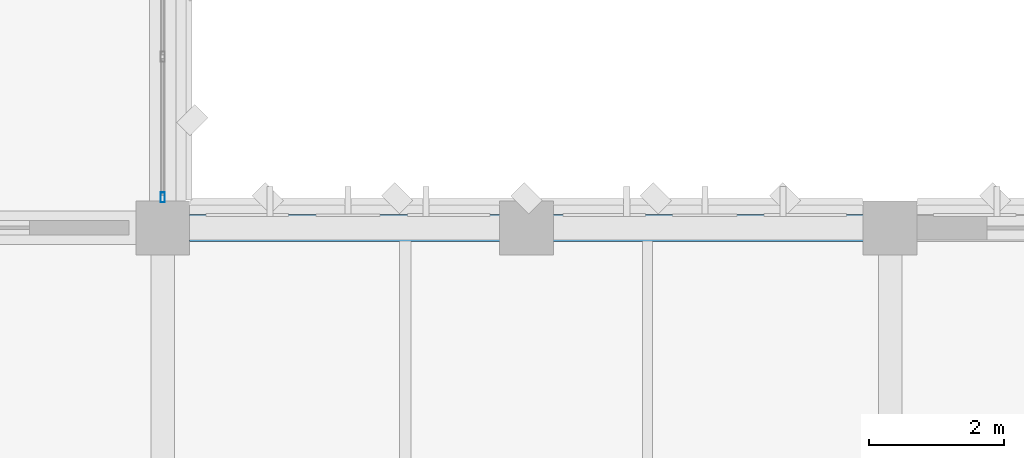
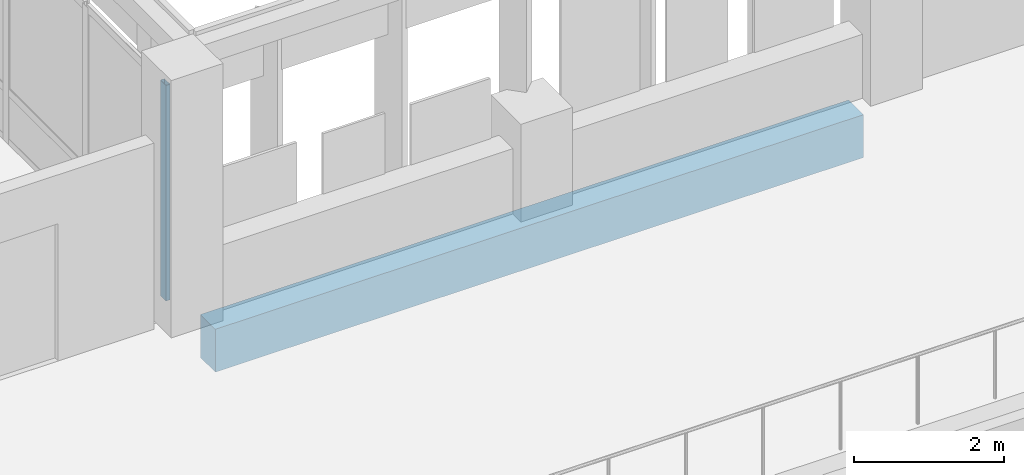
# One storey, part 9 of 158: 1 beam, 1 member, 1 element without a shape of its own.
"""IFC4 building model written with IfcOpenShell, lengths in metres."""

from ifc_helpers import new_model, si_unit, direction, frame, origin, origin_2d, place, context, subcontext, project, spatial, rectangle, hollow_rectangle, extrude, material, material_profile, profile_set, type_object, element, aggregate, save


model = new_model("IFC4")

# Units and contexts
model_context = context("Model", 3, precision=1e-05, world=origin(), true_north=direction((0.0, 1.0)))
body_context = subcontext(model_context, "Body", "Model", "MODEL_VIEW")
ifc_project = project(units=[si_unit("LENGTHUNIT", "METRE"), si_unit("AREAUNIT", "SQUARE_METRE"), si_unit("VOLUMEUNIT", "CUBIC_METRE"), si_unit("PLANEANGLEUNIT", "RADIAN"), si_unit("MASSUNIT", "GRAM", prefix="KILO")], contexts=[model_context])

# Site, building, storey
site_placement = place(None, origin())
site = spatial("IfcSite", under=ifc_project, at=site_placement, CompositionType="ELEMENT")
building_placement = place(site_placement, origin())
building = spatial("IfcBuilding", under=site, at=building_placement, Name="Lusvemor Sports Hall", CompositionType="ELEMENT")
storey_placement = place(building_placement, frame((0.0, 0.0, 10.800048828125)))
storey = spatial("IfcBuildingStorey", under=building, at=storey_placement, Name="L02", CompositionType="ELEMENT", Elevation=10.800048828125)

# Curtain wall, member
ifc_material_1 = material(Name="Thermally broken bronze-anodized aluminium", Category="aluminium")
curtain_wall_type = type_object("IfcCurtainWallType", Name="CW_WING_B", PredefinedType="NOTDEFINED", material=ifc_material_1)
curtain_wall_placement = place(storey_placement, origin())
curtain_wall = element("IfcCurtainWall", 1, at=curtain_wall_placement, inside=storey, type_object=curtain_wall_type, Name="Curtain Wall CW-L02-E-5-0", PredefinedType="NOTDEFINED")
ifc_material_2 = material(Name="Thermally broken bronze-anodized aluminium", Category="aluminium")
ifc_material_profile_1 = material_profile(ifc_material_2, hollow_rectangle(XDim=0.06494140625, YDim=0.14990234375, WallThickness=0.00390625, InnerFilletRadius=0.00390625, OuterFilletRadius=0.008056640625, at=origin_2d()), Name="CWMUL150x65x4")
ifc_profile_set_1 = profile_set([ifc_material_profile_1], Name="Thermally broken bronze-anodized aluminium")
member_type = type_object("IfcMemberType", Name="CW_MUL_B", PredefinedType="MULLION", material=ifc_profile_set_1)
member_placement = place(storey_placement, frame((21.60009765625, 47.25244140625, 0.0), z_axis=(0.0, 0.0, 1.0), x_axis=(1.0, 0.0, 0.0)))
member = element("IfcMember", 2, at=member_placement, type_object=member_type, Name="CW02 mullion 4", PredefinedType="MULLION", context=body_context, shape_type="SweptSolid", body=[
    extrude(hollow_rectangle(XDim=0.06494140625, YDim=0.14990234375, WallThickness=0.00390625, InnerFilletRadius=0.00390625, OuterFilletRadius=0.008056640625, at=origin_2d()), origin(), (0.0, 0.0, 1.0), 3.52001953125),
])
aggregate(curtain_wall, [member])

# Beam
ifc_material_3 = material(Name="Concrete C40/50", Category="concrete")
ifc_material_profile_2 = material_profile(ifc_material_3, rectangle(XDim=0.39990234375, YDim=0.699951171875, at=origin_2d()), Name="RC400x700")
ifc_profile_set_2 = profile_set([ifc_material_profile_2], Name="Concrete C40/50")
beam_type = type_object("IfcBeamType", Name="SPAND_EXT_700", PredefinedType="SPANDREL", material=ifc_profile_set_2)
beam_placement = place(storey_placement, frame((21.99609375, 46.800048828125, -0.610107421875), z_axis=(1.0, 0.0, 0.0), x_axis=(0.0, 1.0, 0.0)))
element("IfcBeam", 3, at=beam_placement, inside=storey, type_object=beam_type, Name="Beam L02 F:3-4", PredefinedType="SPANDREL", context=body_context, shape_type="SweptSolid", body=[
    extrude(rectangle(XDim=0.39990234375, YDim=0.699951171875, at=origin_2d()), origin(), (0.0, 0.0, 1.0), 10.0078125),
])

save(model, "model.ifc")
